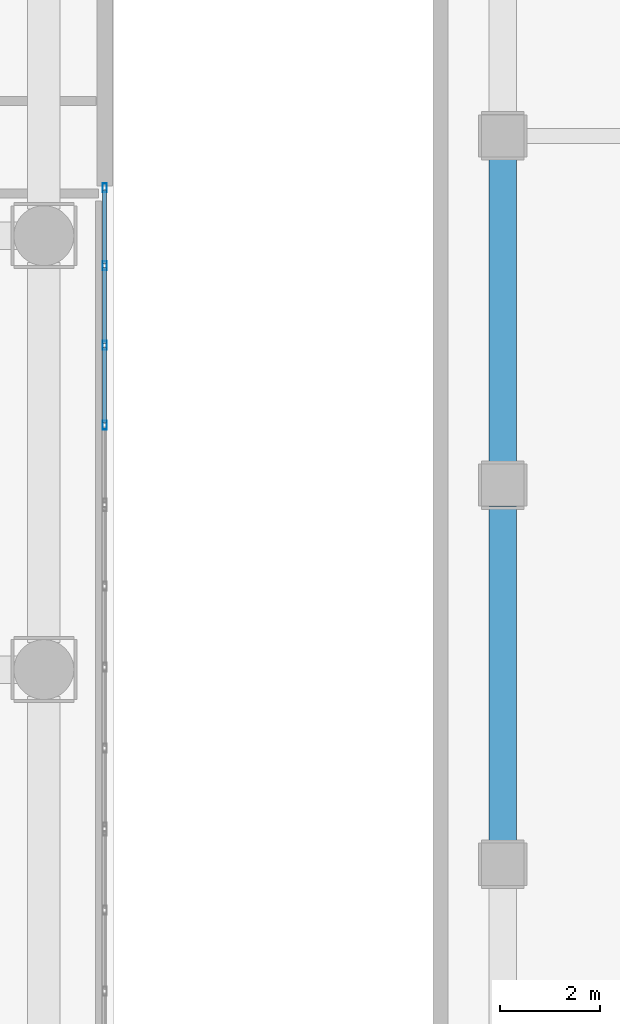
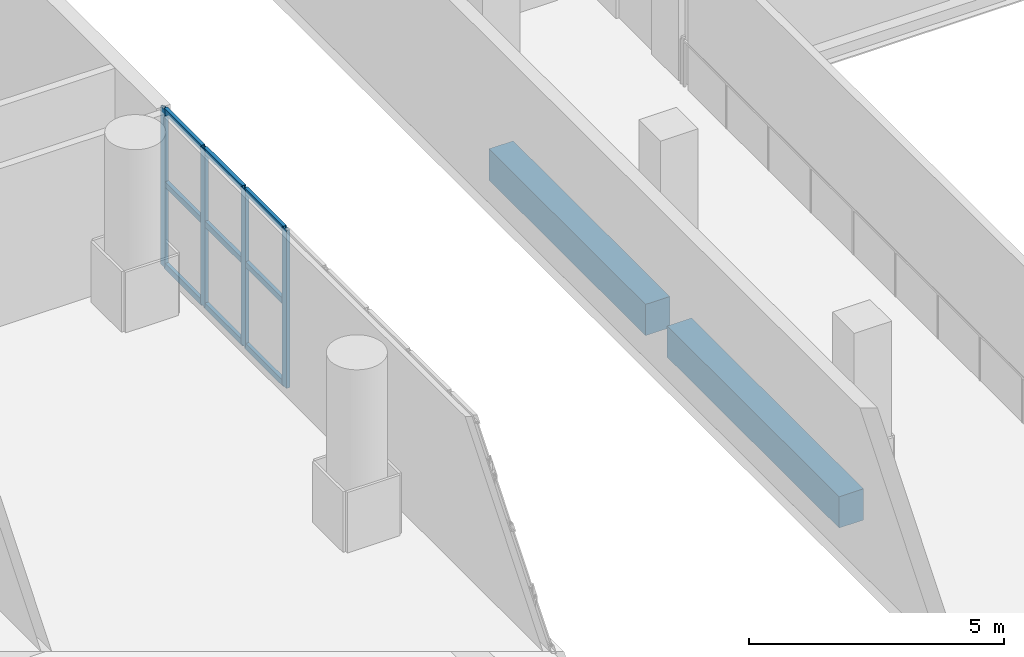
# One storey, part 11 of 22: 13 members, 2 beams, 1 element without a shape of its own.
"""IFC4 building model written with IfcOpenShell, lengths in metres."""

from ifc_helpers import new_model, si_unit, direction, frame, origin, origin_2d, place, context, subcontext, project, spatial, rectangle, hollow_rectangle, extrude, material, layer, layer_set, material_profile, profile_set, type_object, element, aggregate, save


model = new_model("IFC4")

# Units and contexts
model_context = context("Model", 3, precision=1e-05, world=origin(), true_north=direction((0.0, 1.0)))
body_context = subcontext(model_context, "Body", "Model", "MODEL_VIEW")
ifc_project = project(units=[si_unit("LENGTHUNIT", "METRE"), si_unit("AREAUNIT", "SQUARE_METRE"), si_unit("VOLUMEUNIT", "CUBIC_METRE"), si_unit("PLANEANGLEUNIT", "RADIAN"), si_unit("MASSUNIT", "GRAM", prefix="KILO")], contexts=[model_context])

# Site, building, storey
site_placement = place(None, origin())
site = spatial("IfcSite", under=ifc_project, at=site_placement, CompositionType="ELEMENT")
building_placement = place(site_placement, origin())
building = spatial("IfcBuilding", under=site, at=building_placement, Name="Solanera Arch Residences", CompositionType="ELEMENT")
storey_placement = place(building_placement, frame((0.0, 0.0, 13.60009765625)))
storey = spatial("IfcBuildingStorey", under=building, at=storey_placement, Name="L03", CompositionType="ELEMENT", Elevation=13.60009765625)

# Curtain wall, members
ifc_material_1 = material(Name="Anodised Aluminium Alloy 6063-T6", Category="aluminium")
ifc_layer = layer(ifc_material_1, 0.179931640625)
ifc_layer_set = layer_set([ifc_layer], Name="Anodised Aluminium Alloy 6063-T6")
curtain_wall_type = type_object("IfcCurtainWallType", Name="CW-4 Podium Conservatory Curtain Wall", PredefinedType="USERDEFINED", material=ifc_layer_set)
curtain_wall_placement = place(storey_placement, origin())
curtain_wall = element("IfcCurtainWall", 1, at=curtain_wall_placement, inside=storey, type_object=curtain_wall_type, Name="L03 Podium Conservatory Curtain Wall 1", ObjectType="CURTAIN_WALL", PredefinedType="USERDEFINED")
ifc_material_2 = material(Name="Anodised Aluminium Alloy 6063-T6", Category="aluminium")
ifc_material_profile_1 = material_profile(ifc_material_2, hollow_rectangle(XDim=0.080078125, YDim=0.179931640625, WallThickness=0.00390625, at=origin_2d()))
ifc_profile_set_1 = profile_set([ifc_material_profile_1], Name="Anodised Aluminium Alloy 6063-T6")
member_type_1 = type_object("IfcMemberType", Name="Curtain Wall Mullion ALU-MUL-80X180", PredefinedType="MULLION", material=ifc_profile_set_1)
member_1_placement = place(storey_placement, frame((47.820068359375, 40.360107421875, 0.0), z_axis=(0.0, 0.0, 1.0), x_axis=(1.0, 0.0, 0.0)))
member_1 = element("IfcMember", 2, at=member_1_placement, type_object=member_type_1, Name="CW-4 mullion 1", PredefinedType="MULLION", context=body_context, shape_type="SweptSolid", body=[
    extrude(hollow_rectangle(XDim=0.080078125, YDim=0.179931640625, WallThickness=0.00390625, at=origin_2d()), origin(), (0.0, 0.0, 1.0), 3.77978515625),
])
member_2_placement = place(storey_placement, frame((47.820068359375, 38.800048828125, 0.0), z_axis=(0.0, 0.0, 1.0), x_axis=(1.0, 0.0, 0.0)))
member_2 = element("IfcMember", 3, at=member_2_placement, type_object=member_type_1, Name="CW-4 mullion 2", PredefinedType="MULLION", context=body_context, shape_type="SweptSolid", body=[
    extrude(hollow_rectangle(XDim=0.080078125, YDim=0.179931640625, WallThickness=0.00390625, at=origin_2d()), origin(), (0.0, 0.0, 1.0), 3.77978515625),
])
member_3_placement = place(storey_placement, frame((47.820068359375, 37.199951171875, 0.0), z_axis=(0.0, 0.0, 1.0), x_axis=(1.0, 0.0, 0.0)))
member_3 = element("IfcMember", 4, at=member_3_placement, type_object=member_type_1, Name="CW-4 mullion 3", PredefinedType="MULLION", context=body_context, shape_type="SweptSolid", body=[
    extrude(hollow_rectangle(XDim=0.080078125, YDim=0.179931640625, WallThickness=0.00390625, at=origin_2d()), origin(), (0.0, 0.0, 1.0), 3.77978515625),
])
member_4_placement = place(storey_placement, frame((47.820068359375, 35.60009765625, 0.0), z_axis=(0.0, 0.0, 1.0), x_axis=(1.0, 0.0, 0.0)))
member_4 = element("IfcMember", 5, at=member_4_placement, type_object=member_type_1, Name="CW-4 mullion 4", PredefinedType="MULLION", context=body_context, shape_type="SweptSolid", body=[
    extrude(hollow_rectangle(XDim=0.080078125, YDim=0.179931640625, WallThickness=0.00390625, at=origin_2d()), origin(), (0.0, 0.0, 1.0), 3.77978515625),
])
ifc_material_3 = material(Name="Anodised Aluminium Alloy 6063-T6", Category="aluminium")
ifc_material_profile_2 = material_profile(ifc_material_3, hollow_rectangle(XDim=0.080078125, YDim=0.139892578125, WallThickness=0.00390625, at=origin_2d()))
ifc_profile_set_2 = profile_set([ifc_material_profile_2], Name="Anodised Aluminium Alloy 6063-T6")
member_type_2 = type_object("IfcMemberType", Name="Curtain Wall Transom ALU-TRN-80X140", PredefinedType="USERDEFINED", material=ifc_profile_set_2)
member_5_placement = place(storey_placement, frame((47.820068359375, 40.320068359375, 0.039794921875), z_axis=(0.0, -1.0, 0.0), x_axis=(1.0, 0.0, 0.0)))
member_5 = element("IfcMember", 6, at=member_5_placement, type_object=member_type_2, Name="CW-4 transom 1.1", ObjectType="TRANSOM", PredefinedType="USERDEFINED", context=body_context, shape_type="SweptSolid", body=[
    extrude(hollow_rectangle(XDim=0.080078125, YDim=0.139892578125, WallThickness=0.00390625, at=origin_2d()), origin(), (0.0, 0.0, 1.0), 1.47998046875),
])
member_6_placement = place(storey_placement, frame((47.820068359375, 40.320068359375, 2.0), z_axis=(0.0, -1.0, 0.0), x_axis=(1.0, 0.0, 0.0)))
member_6 = element("IfcMember", 7, at=member_6_placement, type_object=member_type_2, Name="CW-4 transom 1.2", ObjectType="TRANSOM", PredefinedType="USERDEFINED", context=body_context, shape_type="SweptSolid", body=[
    extrude(hollow_rectangle(XDim=0.080078125, YDim=0.139892578125, WallThickness=0.00390625, at=origin_2d()), origin(), (0.0, 0.0, 1.0), 1.47998046875),
])
member_7_placement = place(storey_placement, frame((47.820068359375, 40.320068359375, 3.739990234375), z_axis=(0.0, -1.0, 0.0), x_axis=(1.0, 0.0, 0.0)))
member_7 = element("IfcMember", 8, at=member_7_placement, type_object=member_type_2, Name="CW-4 transom 1.3", ObjectType="TRANSOM", PredefinedType="USERDEFINED", context=body_context, shape_type="SweptSolid", body=[
    extrude(hollow_rectangle(XDim=0.080078125, YDim=0.139892578125, WallThickness=0.00390625, at=origin_2d()), origin(), (0.0, 0.0, 1.0), 1.47998046875),
])
member_8_placement = place(storey_placement, frame((47.820068359375, 38.760009765625, 0.039794921875), z_axis=(0.0, -1.0, 0.0), x_axis=(1.0, 0.0, 0.0)))
member_8 = element("IfcMember", 9, at=member_8_placement, type_object=member_type_2, Name="CW-4 transom 2.1", ObjectType="TRANSOM", PredefinedType="USERDEFINED", context=body_context, shape_type="SweptSolid", body=[
    extrude(hollow_rectangle(XDim=0.080078125, YDim=0.139892578125, WallThickness=0.00390625, at=origin_2d()), origin(), (0.0, 0.0, 1.0), 1.52001953125),
])
member_9_placement = place(storey_placement, frame((47.820068359375, 38.760009765625, 2.0), z_axis=(0.0, -1.0, 0.0), x_axis=(1.0, 0.0, 0.0)))
member_9 = element("IfcMember", 10, at=member_9_placement, type_object=member_type_2, Name="CW-4 transom 2.2", ObjectType="TRANSOM", PredefinedType="USERDEFINED", context=body_context, shape_type="SweptSolid", body=[
    extrude(hollow_rectangle(XDim=0.080078125, YDim=0.139892578125, WallThickness=0.00390625, at=origin_2d()), origin(), (0.0, 0.0, 1.0), 1.52001953125),
])
member_10_placement = place(storey_placement, frame((47.820068359375, 38.760009765625, 3.739990234375), z_axis=(0.0, -1.0, 0.0), x_axis=(1.0, 0.0, 0.0)))
member_10 = element("IfcMember", 11, at=member_10_placement, type_object=member_type_2, Name="CW-4 transom 2.3", ObjectType="TRANSOM", PredefinedType="USERDEFINED", context=body_context, shape_type="SweptSolid", body=[
    extrude(hollow_rectangle(XDim=0.080078125, YDim=0.139892578125, WallThickness=0.00390625, at=origin_2d()), origin(), (0.0, 0.0, 1.0), 1.52001953125),
])
member_11_placement = place(storey_placement, frame((47.820068359375, 37.159912109375, 0.039794921875), z_axis=(0.0, -1.0, 0.0), x_axis=(1.0, 0.0, 0.0)))
member_11 = element("IfcMember", 12, at=member_11_placement, type_object=member_type_2, Name="CW-4 transom 3.1", ObjectType="TRANSOM", PredefinedType="USERDEFINED", context=body_context, shape_type="SweptSolid", body=[
    extrude(hollow_rectangle(XDim=0.080078125, YDim=0.139892578125, WallThickness=0.00390625, at=origin_2d()), origin(), (0.0, 0.0, 1.0), 1.52001953125),
])
member_12_placement = place(storey_placement, frame((47.820068359375, 37.159912109375, 2.0), z_axis=(0.0, -1.0, 0.0), x_axis=(1.0, 0.0, 0.0)))
member_12 = element("IfcMember", 13, at=member_12_placement, type_object=member_type_2, Name="CW-4 transom 3.2", ObjectType="TRANSOM", PredefinedType="USERDEFINED", context=body_context, shape_type="SweptSolid", body=[
    extrude(hollow_rectangle(XDim=0.080078125, YDim=0.139892578125, WallThickness=0.00390625, at=origin_2d()), origin(), (0.0, 0.0, 1.0), 1.52001953125),
])
member_13_placement = place(storey_placement, frame((47.820068359375, 37.159912109375, 3.739990234375), z_axis=(0.0, -1.0, 0.0), x_axis=(1.0, 0.0, 0.0)))
member_13 = element("IfcMember", 14, at=member_13_placement, type_object=member_type_2, Name="CW-4 transom 3.3", ObjectType="TRANSOM", PredefinedType="USERDEFINED", context=body_context, shape_type="SweptSolid", body=[
    extrude(hollow_rectangle(XDim=0.080078125, YDim=0.139892578125, WallThickness=0.00390625, at=origin_2d()), origin(), (0.0, 0.0, 1.0), 1.52001953125),
])
aggregate(curtain_wall, [member_1, member_2, member_3, member_4, member_5, member_6, member_7, member_8, member_9, member_10, member_11, member_12, member_13])

# Beams
ifc_material_4 = material(Name="Concrete C40/50 (f'c = 45 MPa)", Category="concrete")
ifc_material_profile_3 = material_profile(ifc_material_4, rectangle(XDim=0.550048828125, YDim=0.75, at=origin_2d()))
ifc_profile_set_3 = profile_set([ifc_material_profile_3], Name="Concrete C40/50 (f'c = 45 MPa)")
beam_type = type_object("IfcBeamType", Name="Primary Beam RC-BM-550X750", PredefinedType="BEAM", material=ifc_profile_set_3)
beam_1_placement = place(storey_placement, frame((55.800048828125, 27.22509765625, -0.655029296875), z_axis=(0.0, 1.0, 0.0), x_axis=(-1.0, 0.0, 0.0)))
element("IfcBeam", 15, at=beam_1_placement, inside=storey, type_object=beam_type, Name="BM-L03-HW-3", PredefinedType="BEAM", context=body_context, shape_type="SweptSolid", body=[
    extrude(rectangle(XDim=0.550048828125, YDim=0.75, at=origin_2d()), origin(), (0.0, 0.0, 1.0), 6.75),
])
beam_2_placement = place(storey_placement, frame((55.800048828125, 34.824951171875, -0.655029296875), z_axis=(0.0, 1.0, 0.0), x_axis=(-1.0, 0.0, 0.0)))
element("IfcBeam", 16, at=beam_2_placement, inside=storey, type_object=beam_type, Name="BM-L03-HW-4", PredefinedType="BEAM", context=body_context, shape_type="SweptSolid", body=[
    extrude(rectangle(XDim=0.550048828125, YDim=0.75, at=origin_2d()), origin(), (0.0, 0.0, 1.0), 6.150146484375),
])

save(model, "model.ifc")
